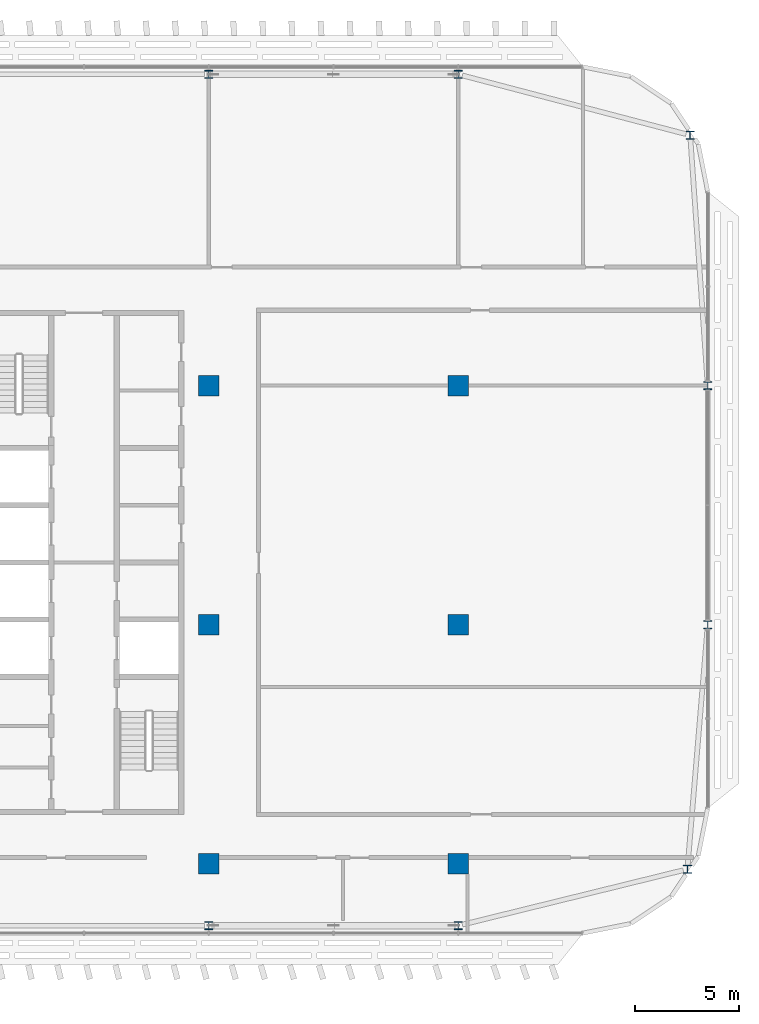
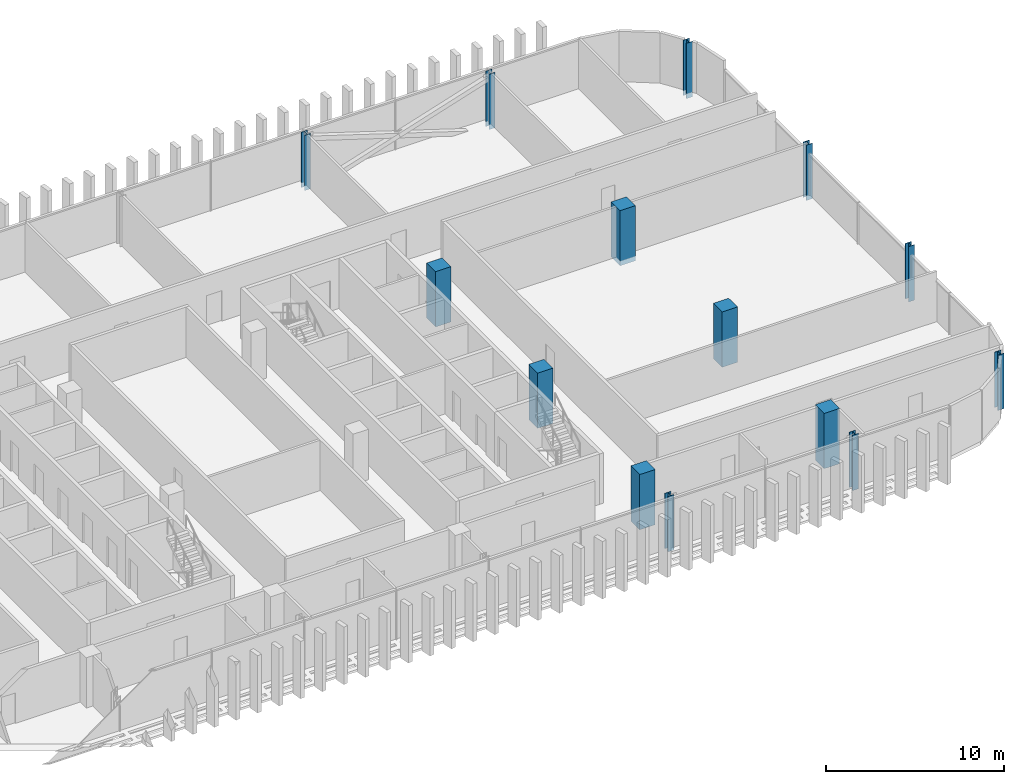
# One storey, part 4 of 35: 14 columns.
"""IFC4 building model written with IfcOpenShell, lengths in metres."""

from ifc_helpers import new_model, si_unit, direction, frame, origin, origin_2d, place, context, subcontext, project, spatial, rectangle, i_section, extrude, material, material_profile, profile_set, type_object, element, save


model = new_model("IFC4")

# Units and contexts
model_context = context("Model", 3, precision=1e-05, world=origin(), true_north=direction((0.0, 1.0)))
body_context = subcontext(model_context, "Body", "Model", "MODEL_VIEW")
ifc_project = project(units=[si_unit("LENGTHUNIT", "METRE"), si_unit("AREAUNIT", "SQUARE_METRE"), si_unit("VOLUMEUNIT", "CUBIC_METRE"), si_unit("PLANEANGLEUNIT", "RADIAN"), si_unit("MASSUNIT", "GRAM", prefix="KILO")], contexts=[model_context])

# Site, building, storey
site_placement = place(None, origin())
site = spatial("IfcSite", under=ifc_project, at=site_placement, CompositionType="ELEMENT")
building_placement = place(site_placement, origin())
building = spatial("IfcBuilding", under=site, at=building_placement, Name="Mahtab Terrace Research Tower", CompositionType="ELEMENT")
storey_placement = place(building_placement, frame((0.0, 0.0, 251.39990234375)))
storey = spatial("IfcBuildingStorey", under=building, at=storey_placement, Name="L61", CompositionType="ELEMENT", Elevation=251.39990234375)

# Columns
ifc_material_1 = material(Name="Concrete C70/85", Category="concrete")
ifc_material_profile_1 = material_profile(ifc_material_1, rectangle(XDim=1.0, YDim=1.0, at=origin_2d()), Name="RC column 1000x1000")
ifc_profile_set_1 = profile_set([ifc_material_profile_1], Name="Concrete C70/85")
column_type_1 = type_object("IfcColumnType", Name="RC column 1000x1000", PredefinedType="COLUMN", material=ifc_profile_set_1)
for number, where, z_axis, x_axis, name in (
    (1, (30.0, -11.5, -0.33984375), (0.0, 0.0, 1.0), (1.0, 0.0, 0.0), "Column RC-7A L61"),
    (2, (30.0, 0.0, -0.33984375), (0.0, 0.0, 1.0), (1.0, 0.0, 0.0), "Column RC-7B L61"),
    (3, (30.0, 11.5, -0.33984375), (0.0, 0.0, 1.0), (1.0, 0.0, 0.0), "Column RC-7C L61"),
    (4, (42.0, -11.5, -0.33984375), (0.0, 0.0, 1.0), (1.0, 0.0, 0.0), "Column RC-8A L61"),
    (5, (42.0, 0.0, -0.33984375), (0.0, 0.0, 1.0), (1.0, 0.0, 0.0), "Column RC-8B L61"),
    (6, (42.0, 11.5, -0.33984375), (0.0, 0.0, 1.0), (1.0, 0.0, 0.0), "Column RC-8C L61"),
):
    element("IfcColumn", number, at=place(storey_placement, frame(where, z_axis=z_axis, x_axis=x_axis)), inside=storey, type_object=column_type_1, Name=name, PredefinedType="COLUMN", context=body_context, shape_type="SweptSolid", body=[
        extrude(rectangle(XDim=1.0, YDim=1.0, at=origin_2d()), origin(), (0.0, 0.0, 1.0), 3.800048828125),
    ])
ifc_material_2 = material(Name="Steel ASTM A992 Gr 50", Category="steel")
ifc_material_profile_2 = material_profile(ifc_material_2, i_section(OverallWidth=0.398681640625, OverallDepth=0.385986328125, WebThickness=0.02099609375, FlangeThickness=0.033203125, at=origin_2d()), Name="W14X176")
ifc_profile_set_2 = profile_set([ifc_material_profile_2], Name="Steel ASTM A992 Gr 50")
column_type_2 = type_object("IfcColumnType", Name="W14x176 column CS14176", PredefinedType="COLUMN", material=ifc_profile_set_2)
for number, where, z_axis, x_axis, name in (
    (7, (53.154052734375, 23.5458984375, -0.33984375), (0.0, 0.0, 1.0), (1.0, 0.0, 0.0), "Column SC-052 L61"),
    (8, (42.0, 26.472900390625, -0.33984375), (0.0, 0.0, 1.0), (1.0, 0.0, 0.0), "Column SC-053 L61"),
    (9, (30.0, 26.472900390625, -0.33984375), (0.0, 0.0, 1.0), (1.0, 0.0, 0.0), "Column SC-054 L61"),
    (10, (30.0, -14.472900390625, -0.33984375), (0.0, 0.0, 1.0), (1.0, 0.0, 0.0), "Column SC-067 L61"),
    (11, (42.0, -14.472900390625, -0.33984375), (0.0, 0.0, 1.0), (1.0, 0.0, 0.0), "Column SC-068 L61"),
    (12, (53.02099609375, -11.758056640625, -0.33984375), (0.0, 0.0, 1.0), (1.0, 0.0, 0.0), "Column SC-069 L61"),
    (13, (54.0, 0.0, -0.33984375), (0.0, 0.0, 1.0), (1.0, 0.0, 0.0), "Column SC-028 L61"),
    (14, (54.0, 11.5, -0.33984375), (0.0, 0.0, 1.0), (1.0, 0.0, 0.0), "Column SC-029 L61"),
):
    element("IfcColumn", number, at=place(storey_placement, frame(where, z_axis=z_axis, x_axis=x_axis)), inside=storey, type_object=column_type_2, Name=name, PredefinedType="COLUMN", context=body_context, shape_type="SweptSolid", body=[
        extrude(i_section(OverallWidth=0.398681640625, OverallDepth=0.385986328125, WebThickness=0.02099609375, FlangeThickness=0.033203125, at=origin_2d()), origin(), (0.0, 0.0, 1.0), 3.800048828125),
    ])

save(model, "model.ifc")
